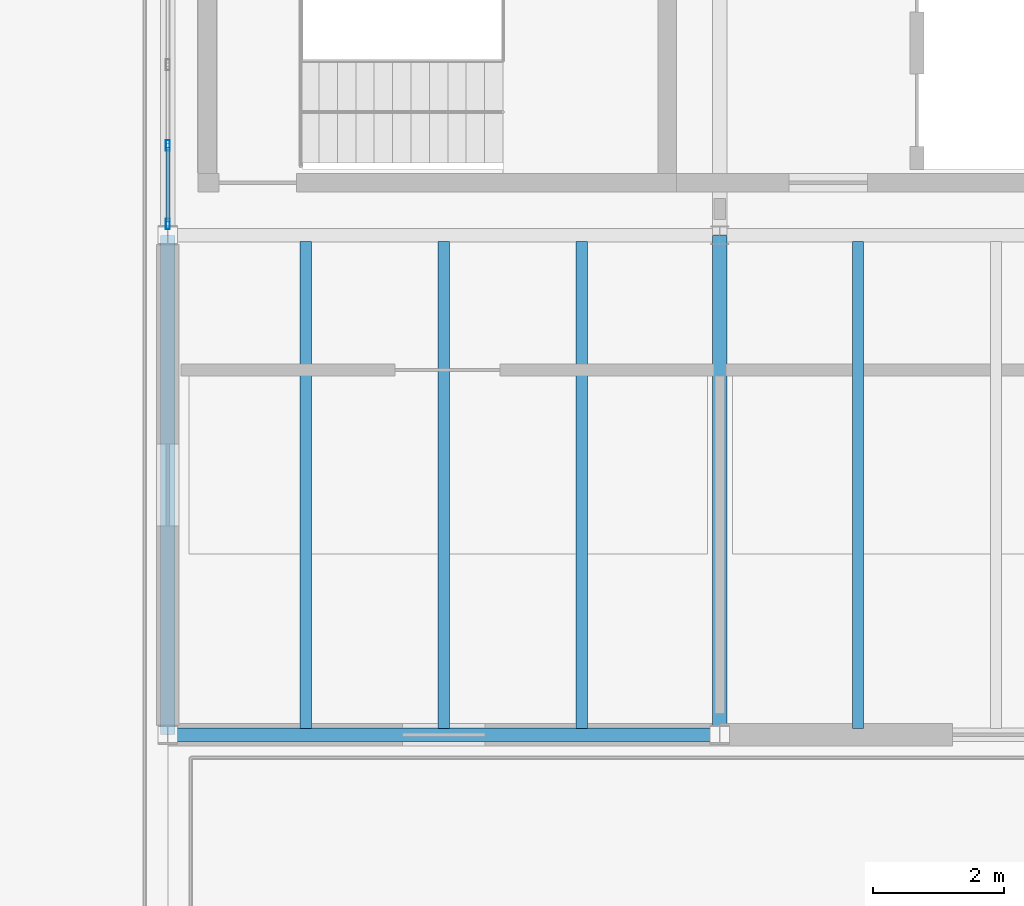
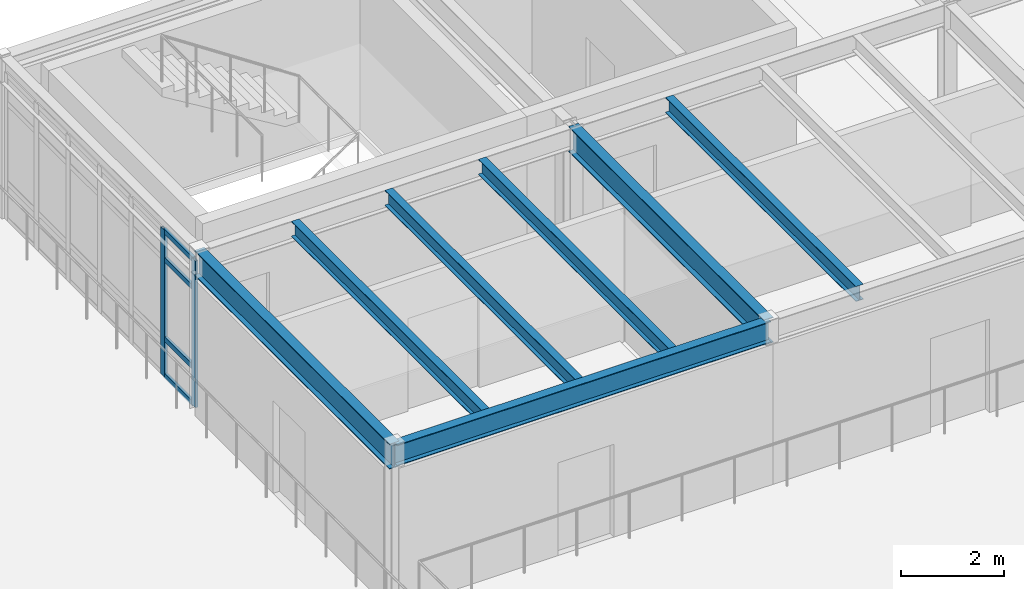
# One storey, part 5 of 26: 7 beams, 6 members, 1 element without a shape of its own.
"""IFC4 building model written with IfcOpenShell, lengths in metres."""

from ifc_helpers import new_model, si_unit, direction, frame, origin, origin_2d, place, context, subcontext, project, spatial, hollow_rectangle, i_section, extrude, material, layer, layer_set, material_profile, profile_set, type_object, element, aggregate, save


model = new_model("IFC4")

# Units and contexts
model_context = context("Model", 3, precision=1e-05, world=origin(), true_north=direction((0.0, 1.0)))
body_context = subcontext(model_context, "Body", "Model", "MODEL_VIEW")
ifc_project = project(units=[si_unit("LENGTHUNIT", "METRE"), si_unit("AREAUNIT", "SQUARE_METRE"), si_unit("VOLUMEUNIT", "CUBIC_METRE"), si_unit("PLANEANGLEUNIT", "RADIAN"), si_unit("MASSUNIT", "GRAM", prefix="KILO")], contexts=[model_context])

# Site, building, storey
site_placement = place(None, origin())
site = spatial("IfcSite", under=ifc_project, at=site_placement, CompositionType="ELEMENT")
building_placement = place(site_placement, origin())
building = spatial("IfcBuilding", under=site, at=building_placement, Name="Montecoro Central Library", CompositionType="ELEMENT")
storey_placement = place(building_placement, frame((0.0, 0.0, 21.419921875)))
storey = spatial("IfcBuildingStorey", under=building, at=storey_placement, Name="L05", CompositionType="ELEMENT", Elevation=21.419921875)

# Beams
ifc_material_1 = material(Name="Steel S355", Category="steel")
ifc_material_profile_1 = material_profile(ifc_material_1, i_section(OverallWidth=0.199951171875, OverallDepth=0.5, WebThickness=0.01025390625, FlangeThickness=0.01611328125, at=origin_2d()), Name="IPE 500")
ifc_profile_set_1 = profile_set([ifc_material_profile_1], Name="Steel S355")
beam_type_1 = type_object("IfcBeamType", Name="BM-G-IPE500", PredefinedType="USERDEFINED", material=ifc_profile_set_1)
beam_placement = place(storey_placement, frame((74.804931640625, 103.800048828125, 3.5751953125), z_axis=(1.0, 0.0, 0.0), x_axis=(0.0, 1.0, 0.0)))
element("IfcBeam", 1, at=beam_placement, inside=storey, type_object=beam_type_1, Name="V2-L05-BX-1011-P", ObjectType="GIRDER", PredefinedType="USERDEFINED", context=body_context, shape_type="SweptSolid", body=[
    extrude(i_section(OverallWidth=0.199951171875, OverallDepth=0.5, WebThickness=0.01025390625, FlangeThickness=0.01611328125, at=origin_2d()), origin(), (0.0, 0.0, 1.0), 8.39013671875),
])
ifc_material_2 = material(Name="Steel S355J2", Category="steel")
ifc_material_profile_2 = material_profile(ifc_material_2, i_section(OverallWidth=0.219970703125, OverallDepth=0.60009765625, WebThickness=0.011962890625, FlangeThickness=0.01904296875, at=origin_2d()), Name="IPE 600")
ifc_profile_set_2 = profile_set([ifc_material_profile_2], Name="Steel S355J2")
beam_type_2 = type_object("IfcBeamType", Name="BM-G-IPE600", PredefinedType="USERDEFINED", material=ifc_profile_set_2)
for number, where, z_axis, x_axis, name in (
    (2, (74.800048828125, 103.804931640625, 3.525146484375), (0.0, 1.0, 0.0), (-1.0, 0.0, 0.0), "V2-L05-BY-10-PQ"),
    (3, (83.199951171875, 103.804931640625, 3.525146484375), (0.0, 1.0, 0.0), (-1.0, 0.0, 0.0), "V2-L05-BY-11-PQ"),
):
    element("IfcBeam", number, at=place(storey_placement, frame(where, z_axis=z_axis, x_axis=x_axis)), inside=storey, type_object=beam_type_2, Name=name, ObjectType="GIRDER", PredefinedType="USERDEFINED", context=body_context, shape_type="SweptSolid", body=[
        extrude(i_section(OverallWidth=0.219970703125, OverallDepth=0.60009765625, WebThickness=0.011962890625, FlangeThickness=0.01904296875, at=origin_2d()), origin(), (0.0, 0.0, 1.0), 7.590087890625),
    ])
ifc_material_profile_3 = material_profile(ifc_material_1, i_section(OverallWidth=0.169921875, OverallDepth=0.360107421875, WebThickness=0.008056640625, FlangeThickness=0.0126953125, at=origin_2d()), Name="IPE 360")
ifc_profile_set_3 = profile_set([ifc_material_profile_3], Name="Steel S355")
beam_type_3 = type_object("IfcBeamType", Name="BM-J-IPE360", PredefinedType="JOIST", material=ifc_profile_set_3)
for number, where, z_axis, x_axis, name in (
    (4, (76.89990234375, 103.89697265625, 3.64501953125), (0.0, 1.0, 0.0), (-1.0, 0.0, 0.0), "V2-L05-JS-1011-PQ-1"),
    (5, (79.0, 103.89697265625, 3.64501953125), (0.0, 1.0, 0.0), (-1.0, 0.0, 0.0), "V2-L05-JS-1011-PQ-2"),
    (6, (81.10009765625, 103.89697265625, 3.64501953125), (0.0, 1.0, 0.0), (-1.0, 0.0, 0.0), "V2-L05-JS-1011-PQ-3"),
    (7, (85.300048828125, 103.89697265625, 3.64501953125), (0.0, 1.0, 0.0), (-1.0, 0.0, 0.0), "V2-L05-JS-1112-PQ-1"),
):
    element("IfcBeam", number, at=place(storey_placement, frame(where, z_axis=z_axis, x_axis=x_axis)), inside=storey, type_object=beam_type_3, Name=name, PredefinedType="JOIST", context=body_context, shape_type="SweptSolid", body=[
        extrude(i_section(OverallWidth=0.169921875, OverallDepth=0.360107421875, WebThickness=0.008056640625, FlangeThickness=0.0126953125, at=origin_2d()), origin(), (0.0, 0.0, 1.0), 7.406005859375),
    ])

# Curtain wall, members
ifc_material_3 = material(Name="Bronze-anodised aluminium and low-E glazing", Category="aluminium")
ifc_layer = layer(ifc_material_3, 0.159912109375)
ifc_layer_set = layer_set([ifc_layer], Name="Bronze-anodised aluminium and low-E glazing")
curtain_wall_type = type_object("IfcCurtainWallType", Name="CWT-026", PredefinedType="NOTDEFINED", material=ifc_layer_set)
curtain_wall_placement = place(storey_placement, origin())
curtain_wall = element("IfcCurtainWall", 8, at=curtain_wall_placement, inside=storey, type_object=curtain_wall_type, Name="V2-L05-CW-W1", PredefinedType="NOTDEFINED")
ifc_material_4 = material(Name="Bronze-anodised aluminium", Category="aluminium")
ifc_material_profile_4 = material_profile(ifc_material_4, hollow_rectangle(XDim=0.06005859375, YDim=0.159912109375, WallThickness=0.00390625, at=origin_2d()), Name="CWM 160x60x4.0")
ifc_profile_set_4 = profile_set([ifc_material_profile_4], Name="Bronze-anodised aluminium")
member_type_1 = type_object("IfcMemberType", Name="CWM-BRZ-60", PredefinedType="MULLION", material=ifc_profile_set_4)
member_1_placement = place(storey_placement, frame((74.800048828125, 112.76611328125, 0.0), z_axis=(0.0, 0.0, 1.0), x_axis=(1.0, 0.0, 0.0)))
member_1 = element("IfcMember", 9, at=member_1_placement, type_object=member_type_1, Name="CW-026 mullion 6", PredefinedType="MULLION", context=body_context, shape_type="SweptSolid", body=[
    extrude(hollow_rectangle(XDim=0.06005859375, YDim=0.159912109375, WallThickness=0.00390625, at=origin_2d()), origin(), (0.0, 0.0, 1.0), 3.47998046875),
])
member_2_placement = place(storey_placement, frame((74.800048828125, 111.568115234375, 0.0), z_axis=(0.0, 0.0, 1.0), x_axis=(1.0, 0.0, 0.0)))
member_2 = element("IfcMember", 10, at=member_2_placement, type_object=member_type_1, Name="CW-026 mullion 7", PredefinedType="MULLION", context=body_context, shape_type="SweptSolid", body=[
    extrude(hollow_rectangle(XDim=0.06005859375, YDim=0.159912109375, WallThickness=0.00390625, at=origin_2d()), origin(), (0.0, 0.0, 1.0), 3.47998046875),
])
ifc_material_profile_5 = material_profile(ifc_material_4, hollow_rectangle(XDim=0.06005859375, YDim=0.1201171875, WallThickness=0.00390625, at=origin_2d()), Name="CWT 120x60x4.0")
ifc_profile_set_5 = profile_set([ifc_material_profile_5], Name="Bronze-anodised aluminium")
member_type_2 = type_object("IfcMemberType", Name="CWT-BRZ-60", PredefinedType="USERDEFINED", material=ifc_profile_set_5)
member_3_placement = place(storey_placement, frame((74.800048828125, 112.736083984375, 0.030029296875), z_axis=(0.0, -1.0, 0.0), x_axis=(1.0, 0.0, 0.0)))
member_3 = element("IfcMember", 11, at=member_3_placement, type_object=member_type_2, Name="CW-026 transom 6.1", ObjectType="TRANSOM", PredefinedType="USERDEFINED", context=body_context, shape_type="SweptSolid", body=[
    extrude(hollow_rectangle(XDim=0.06005859375, YDim=0.1201171875, WallThickness=0.00390625, at=origin_2d()), origin(), (0.0, 0.0, 1.0), 1.13818359375),
])
member_4_placement = place(storey_placement, frame((74.800048828125, 112.736083984375, 0.900146484375), z_axis=(0.0, -1.0, 0.0), x_axis=(1.0, 0.0, 0.0)))
member_4 = element("IfcMember", 12, at=member_4_placement, type_object=member_type_2, Name="CW-026 transom 6.2", ObjectType="TRANSOM", PredefinedType="USERDEFINED", context=body_context, shape_type="SweptSolid", body=[
    extrude(hollow_rectangle(XDim=0.06005859375, YDim=0.1201171875, WallThickness=0.00390625, at=origin_2d()), origin(), (0.0, 0.0, 1.0), 1.13818359375),
])
member_5_placement = place(storey_placement, frame((74.800048828125, 112.736083984375, 2.780029296875), z_axis=(0.0, -1.0, 0.0), x_axis=(1.0, 0.0, 0.0)))
member_5 = element("IfcMember", 13, at=member_5_placement, type_object=member_type_2, Name="CW-026 transom 6.3", ObjectType="TRANSOM", PredefinedType="USERDEFINED", context=body_context, shape_type="SweptSolid", body=[
    extrude(hollow_rectangle(XDim=0.06005859375, YDim=0.1201171875, WallThickness=0.00390625, at=origin_2d()), origin(), (0.0, 0.0, 1.0), 1.13818359375),
])
member_6_placement = place(storey_placement, frame((74.800048828125, 112.736083984375, 3.4501953125), z_axis=(0.0, -1.0, 0.0), x_axis=(1.0, 0.0, 0.0)))
member_6 = element("IfcMember", 14, at=member_6_placement, type_object=member_type_2, Name="CW-026 transom 6.4", ObjectType="TRANSOM", PredefinedType="USERDEFINED", context=body_context, shape_type="SweptSolid", body=[
    extrude(hollow_rectangle(XDim=0.06005859375, YDim=0.1201171875, WallThickness=0.00390625, at=origin_2d()), origin(), (0.0, 0.0, 1.0), 1.13818359375),
])
aggregate(curtain_wall, [member_1, member_2, member_3, member_4, member_5, member_6])

save(model, "model.ifc")
